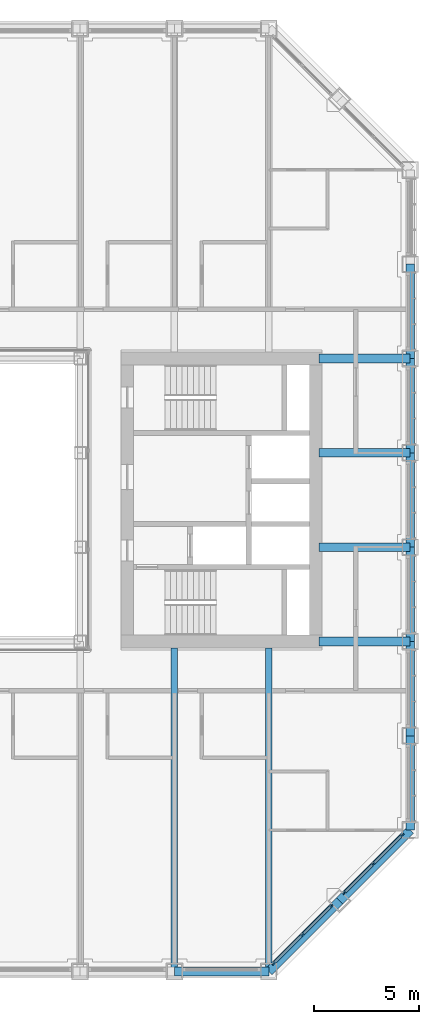
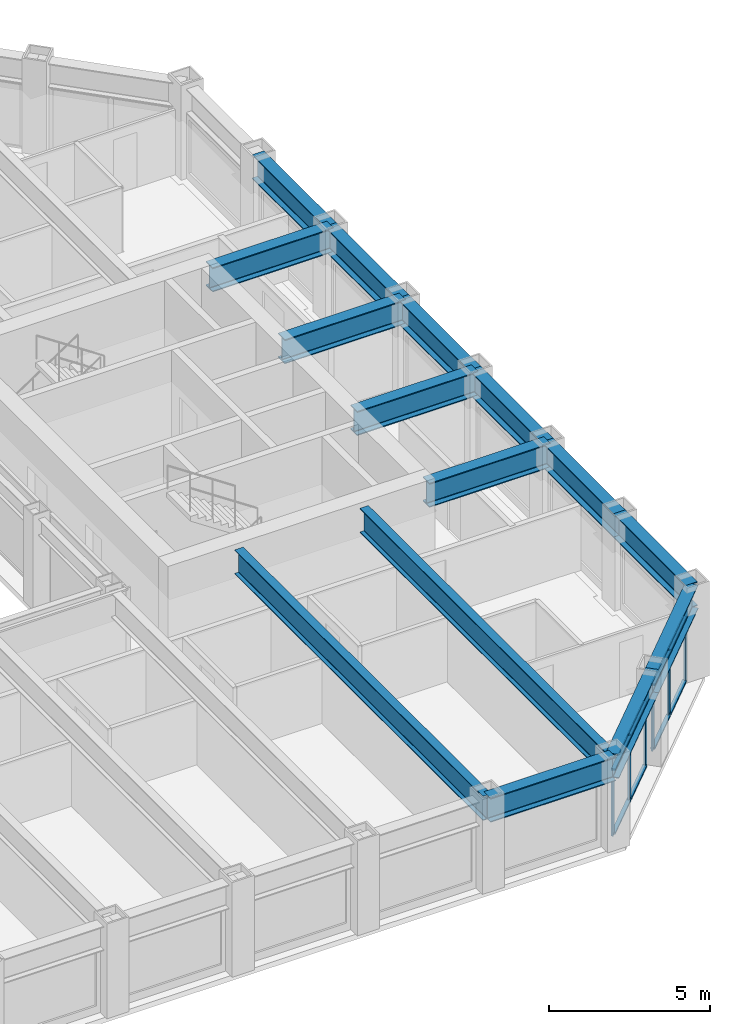
# One storey, part 6 of 18: 15 beams, 14 members, 2 elements without a shape of their own.
"""IFC4 building model written with IfcOpenShell, lengths in metres."""

import ifcopenshell
import ifcopenshell.guid

model = None  # the IFC model being written
_history = None  # IfcOwnerHistory: only IFC2X3 demands one
_inside = {}  # id of a spatial element -> (the spatial element, [elements in it])
_under = {}  # id of a project, library or spatial element -> (it, [spatial elements below it])
_declared = {}  # id of a project -> (the project, [libraries it declares])
_typed = {}  # id of a type object -> (the type object, [elements of that type])
_made_of = {}  # id of a material, layer set ... -> (it, [elements and type objects made of it])


def new_model(schema):
    """Start an empty IFC model of exactly this schema.

    Asked for "IFC4X3", IfcOpenShell would pick the latest addendum, in which some entities
    have other attributes; the version numbers below select the first issue.
    IFC2X3 requires an IfcOwnerHistory on every rooted entity: one is made here for all.
    """
    global model, _history
    if schema == "IFC4X3":
        model = ifcopenshell.file(schema_version=(4, 3, 0, 0))
    else:
        model = ifcopenshell.file(schema=schema)
    _inside.clear()
    _under.clear()
    _declared.clear()
    _typed.clear()
    _made_of.clear()
    _history = None
    if model.schema == "IFC2X3":
        org = make("IfcOrganization", Name="unknown")
        user = make(
            "IfcPersonAndOrganization",
            ThePerson=make("IfcPerson", FamilyName="unknown"),
            TheOrganization=org,
        )
        app = make(
            "IfcApplication",
            ApplicationDeveloper=org,
            Version="unknown",
            ApplicationFullName="unknown",
            ApplicationIdentifier="unknown",
        )
        _history = make(
            "IfcOwnerHistory",
            OwningUser=user,
            OwningApplication=app,
            ChangeAction="ADDED",
            CreationDate=0,
        )
    return model


def make(cls, **values):
    """One entity of the class cls with the attributes given. An attribute that is None is left unset."""
    return model.create_entity(
        cls, **{name: value for name, value in values.items() if value is not None}
    )


def rooted(cls, **values):
    """An entity with a GlobalId (a new one), such as an element, a storey or a relation."""
    return make(cls, GlobalId=ifcopenshell.guid.new(), OwnerHistory=_history, **values)


def si_unit(unit_type, name, prefix=None):
    """IfcSIUnit, for example si_unit("LENGTHUNIT", "METRE", prefix="MILLI")."""
    return make("IfcSIUnit", UnitType=unit_type, Prefix=prefix, Name=name)


def assignment(units):
    """IfcUnitAssignment: the units of a project."""
    return None if units is None else make("IfcUnitAssignment", Units=units)


def point(xyz):
    """IfcCartesianPoint."""
    return None if xyz is None else make("IfcCartesianPoint", Coordinates=xyz)


def direction(xyz):
    """IfcDirection."""
    return None if xyz is None else make("IfcDirection", DirectionRatios=xyz)


def frame(location, z_axis=None, x_axis=None):
    """IfcAxis2Placement3D, a coordinate frame: its origin and axes. An axis left out is left unset."""
    return make(
        "IfcAxis2Placement3D",
        Location=point(location),
        Axis=direction(z_axis),
        RefDirection=direction(x_axis),
    )


def frame_2d(location, x_axis=None):
    """IfcAxis2Placement2D, a coordinate frame in the plane: its origin and x axis."""
    return make(
        "IfcAxis2Placement2D", Location=point(location), RefDirection=direction(x_axis)
    )


def origin():
    """The frame at (0, 0, 0) with its axes left unset."""
    return frame((0.0, 0.0, 0.0))


def origin_2d():
    """The frame at (0, 0) in the plane with its x axis left unset."""
    return frame_2d((0.0, 0.0))


def place(relative_to, where):
    """IfcLocalPlacement: puts the frame where relative to a parent placement (None: the world)."""
    return make(
        "IfcLocalPlacement", PlacementRelTo=relative_to, RelativePlacement=where
    )


def context(
    kind, dimensions, precision=None, world=None, true_north=None, identifier=None
):
    """IfcGeometricRepresentationContext, for example the 3D "Model" context."""
    return make(
        "IfcGeometricRepresentationContext",
        ContextIdentifier=identifier,
        ContextType=kind,
        CoordinateSpaceDimension=dimensions,
        Precision=precision,
        WorldCoordinateSystem=world,
        TrueNorth=true_north,
    )


def subcontext(parent, identifier, kind, view, scale=None):
    """IfcGeometricRepresentationSubContext, for example "Body" below "Model"."""
    return make(
        "IfcGeometricRepresentationSubContext",
        ContextIdentifier=identifier,
        ContextType=kind,
        ParentContext=parent,
        TargetScale=scale,
        TargetView=view,
    )


def project(units=None, contexts=None):
    """IfcProject with its units and contexts."""
    return rooted(
        "IfcProject",
        Name="project",
        RepresentationContexts=contexts,
        UnitsInContext=assignment(units),
    )


def spatial(cls, under=None, at=None, **own):
    """A site, building, storey or space (cls), placed at a placement, below another one or the project."""
    s = rooted(cls, ObjectPlacement=at, **own)
    if under is not None:
        _under.setdefault(under.id(), (under, []))[1].append(s)
    return s


def profile(cls, at=None, kind="AREA", **sizes):
    """A parametric profile (cls). Its sizes go by their IFC names, for example OverallWidth=200.0."""
    return make(cls, ProfileType=kind, Position=at, **sizes)


def rectangle(**sizes):
    """IfcRectangleProfileDef."""
    return profile("IfcRectangleProfileDef", **sizes)


def i_section(**sizes):
    """IfcIShapeProfileDef."""
    return profile("IfcIShapeProfileDef", **sizes)


def extrude(swept, where, along, depth):
    """IfcExtrudedAreaSolid: the profile swept, set in the frame where, extruded along a direction by depth."""
    return make(
        "IfcExtrudedAreaSolid",
        SweptArea=swept,
        Position=where,
        ExtrudedDirection=direction(along),
        Depth=depth,
    )


def shape(context_of_items, identifier, shape_type, items):
    """IfcShapeRepresentation: the items that make up one representation, for example the "Body"."""
    return make(
        "IfcShapeRepresentation",
        ContextOfItems=context_of_items,
        RepresentationIdentifier=identifier,
        RepresentationType=shape_type,
        Items=items,
    )


def material(Name=None, Category=None):
    """IfcMaterial."""
    return make("IfcMaterial", Name=Name, Category=Category)


def material_profile(
    of_material, cross_section, Name=None, Category=None, Priority=None
):
    """IfcMaterialProfile: a cross section and its material."""
    return make(
        "IfcMaterialProfile",
        Name=Name,
        Material=of_material,
        Profile=cross_section,
        Priority=Priority,
        Category=Category,
    )


def profile_set(profiles, Name=None, composite=None):
    """IfcMaterialProfileSet."""
    return make(
        "IfcMaterialProfileSet",
        Name=Name,
        MaterialProfiles=profiles,
        CompositeProfile=composite,
    )


def made_of(thing, what):
    """Note that an element or type object is made of a material, layer set ...; save() writes the relation."""
    if what is not None:
        _made_of.setdefault(what.id(), (what, []))[1].append(thing)
    return thing


def type_object(cls, material=None, **own):
    """A type object (cls), such as IfcWallType, which elements share."""
    return made_of(rooted(cls, **own), material)


def element(
    cls,
    number,
    at=None,
    inside=None,
    cuts=None,
    type_object=None,
    material=None,
    context=None,
    identifier="Body",
    shape_type=None,
    held_by="IfcProductDefinitionShape",
    body=None,
    shapes=None,
    **own,
):
    """One element of the class cls, such as IfcWall. Its Tag is "e" and its number.

    at: its placement. inside: the storey or other place that contains it. cuts: it is an
    opening in that element (IfcRelVoidsElement). A single representation is given by context,
    identifier, shape_type and body (its items); several are given by shapes. held_by: the class
    of the entity that holds the representations. save() writes the other relations.
    """
    e = rooted(cls, Tag="e%d" % number, ObjectPlacement=at, **own)
    if body is not None:
        shapes = [shape(context, identifier, shape_type, body)]
    if shapes is not None:
        e.Representation = make(held_by, Representations=shapes)
    if inside is not None:
        _inside.setdefault(inside.id(), (inside, []))[1].append(e)
    if cuts is not None:
        rooted(
            "IfcRelVoidsElement", RelatingBuildingElement=cuts, RelatedOpeningElement=e
        )
    if type_object is not None:
        _typed.setdefault(type_object.id(), (type_object, []))[1].append(e)
    return made_of(e, material)


def aggregate(whole, parts):
    """IfcRelAggregates: a whole, such as a stair, and the parts it consists of."""
    return rooted("IfcRelAggregates", RelatingObject=whole, RelatedObjects=parts)


def save(model, path):
    """Write the relations noted so far, then the file.

    IfcRelAggregates (storeys below a building ...), IfcRelContainedInSpatialStructure (elements
    in a storey), IfcRelDefinesByType, IfcRelAssociatesMaterial and IfcRelDeclares: one each for
    every whole, place, type object, material and project.
    """
    for whole, parts in _under.values():
        aggregate(whole, parts)
    for where, things in _inside.values():
        rooted(
            "IfcRelContainedInSpatialStructure",
            RelatedElements=things,
            RelatingStructure=where,
        )
    for kind, things in _typed.values():
        rooted("IfcRelDefinesByType", RelatedObjects=things, RelatingType=kind)
    for what, things in _made_of.values():
        rooted("IfcRelAssociatesMaterial", RelatedObjects=things, RelatingMaterial=what)
    for by, libraries in _declared.values():
        rooted("IfcRelDeclares", RelatingContext=by, RelatedDefinitions=libraries)
    model.write(path)


model = new_model("IFC4")

# Units and contexts
model_context = context("Model", 3, precision=1e-05, world=origin(), true_north=direction((0.0, 1.0)))
body_context = subcontext(model_context, "Body", "Model", "MODEL_VIEW")
ifc_project = project(units=[si_unit("LENGTHUNIT", "METRE"), si_unit("AREAUNIT", "SQUARE_METRE"), si_unit("VOLUMEUNIT", "CUBIC_METRE"), si_unit("PLANEANGLEUNIT", "RADIAN"), si_unit("MASSUNIT", "GRAM", prefix="KILO")], contexts=[model_context])

# Site, building, storey
site_placement = place(None, origin())
site = spatial("IfcSite", under=ifc_project, at=site_placement, CompositionType="ELEMENT")
building_placement = place(site_placement, origin())
building = spatial("IfcBuilding", under=site, at=building_placement, Name="Msasa Ring Tower", CompositionType="ELEMENT")
storey_placement = place(building_placement, frame((0.0, 0.0, 118.39990234375)))
storey = spatial("IfcBuildingStorey", under=building, at=storey_placement, Name="L30", CompositionType="ELEMENT", Elevation=118.39990234375)

# Curtain wall, members
ifc_material_1 = material(Name="Aluminium curtain wall with clear glass", Category="aluminium")
curtain_wall_type = type_object("IfcCurtainWallType", Name="CW-C CHAMFER CORNER CURTAIN WALL", PredefinedType="NOTDEFINED", material=ifc_material_1)
curtain_wall_1_placement = place(storey_placement, origin())
curtain_wall_1 = element("IfcCurtainWall", 1, at=curtain_wall_1_placement, inside=storey, type_object=curtain_wall_type, Name="Chamfer corner curtain wall SE L30", PredefinedType="NOTDEFINED")
ifc_material_2 = material(Name="Aluminium mullion", Category="aluminium")
ifc_material_profile_1 = material_profile(ifc_material_2, rectangle(XDim=0.06494140625, YDim=0.179931640625, at=origin_2d()), Name="AL 65x180")
ifc_profile_set_1 = profile_set([ifc_material_profile_1], Name="Aluminium mullion")
member_type_1 = type_object("IfcMemberType", Name="CW-C MULLION 65x180", PredefinedType="MULLION", material=ifc_profile_set_1)
member_1_placement = place(storey_placement, frame((15.98876953125, -22.119873046875, 0.0), z_axis=(0.0, 0.0, 1.0), x_axis=(-0.707106781187, 0.707106781187, 0.0)))
member_1 = element("IfcMember", 2, at=member_1_placement, type_object=member_type_1, Name="CW-C mullion 1", PredefinedType="MULLION", context=body_context, shape_type="SweptSolid", body=[
    extrude(rectangle(XDim=0.06494140625, YDim=0.179931640625, at=origin_2d()), origin(), (0.0, 0.0, 1.0), 2.47900390625),
])
member_2_placement = place(storey_placement, frame((17.36669921875, -20.74169921875, 0.0), z_axis=(0.0, 0.0, 1.0), x_axis=(-0.707106781187, 0.707106781187, 0.0)))
member_2 = element("IfcMember", 3, at=member_2_placement, type_object=member_type_1, Name="CW-C mullion 2", PredefinedType="MULLION", context=body_context, shape_type="SweptSolid", body=[
    extrude(rectangle(XDim=0.06494140625, YDim=0.179931640625, at=origin_2d()), origin(), (0.0, 0.0, 1.0), 2.47900390625),
])
member_3_placement = place(storey_placement, frame((18.744873046875, -19.36376953125, 0.0), z_axis=(0.0, 0.0, 1.0), x_axis=(-0.707106781187, 0.707106781187, 0.0)))
member_3 = element("IfcMember", 4, at=member_3_placement, type_object=member_type_1, Name="CW-C mullion 3", PredefinedType="MULLION", context=body_context, shape_type="SweptSolid", body=[
    extrude(rectangle(XDim=0.06494140625, YDim=0.179931640625, at=origin_2d()), origin(), (0.0, 0.0, 1.0), 2.47900390625),
])

curtain_wall_2_placement = place(storey_placement, origin())
curtain_wall_2 = element("IfcCurtainWall", 5, at=curtain_wall_2_placement, inside=storey, type_object=curtain_wall_type, Name="Chamfer corner curtain wall SE L30", PredefinedType="NOTDEFINED")
member_4_placement = place(storey_placement, frame((19.36376953125, -18.744873046875, 0.0), z_axis=(0.0, 0.0, 1.0), x_axis=(-0.707106781187, 0.707106781187, 0.0)))
member_4 = element("IfcMember", 6, at=member_4_placement, type_object=member_type_1, Name="CW-C mullion 1", PredefinedType="MULLION", context=body_context, shape_type="SweptSolid", body=[
    extrude(rectangle(XDim=0.06494140625, YDim=0.179931640625, at=origin_2d()), origin(), (0.0, 0.0, 1.0), 2.47900390625),
])
member_5_placement = place(storey_placement, frame((20.74169921875, -17.36669921875, 0.0), z_axis=(0.0, 0.0, 1.0), x_axis=(-0.707106781187, 0.707106781187, 0.0)))
member_5 = element("IfcMember", 7, at=member_5_placement, type_object=member_type_1, Name="CW-C mullion 2", PredefinedType="MULLION", context=body_context, shape_type="SweptSolid", body=[
    extrude(rectangle(XDim=0.06494140625, YDim=0.179931640625, at=origin_2d()), origin(), (0.0, 0.0, 1.0), 2.47900390625),
])
member_6_placement = place(storey_placement, frame((22.119873046875, -15.98876953125, 0.0), z_axis=(0.0, 0.0, 1.0), x_axis=(-0.707106781187, 0.707106781187, 0.0)))
member_6 = element("IfcMember", 8, at=member_6_placement, type_object=member_type_1, Name="CW-C mullion 3", PredefinedType="MULLION", context=body_context, shape_type="SweptSolid", body=[
    extrude(rectangle(XDim=0.06494140625, YDim=0.179931640625, at=origin_2d()), origin(), (0.0, 0.0, 1.0), 2.47900390625),
])

# Member
ifc_material_3 = material(Name="Aluminium transom", Category="aluminium")
ifc_material_profile_2 = material_profile(ifc_material_3, rectangle(XDim=0.139892578125, YDim=0.06494140625, at=origin_2d()), Name="AL 65x140")
ifc_profile_set_2 = profile_set([ifc_material_profile_2], Name="Aluminium transom")
member_type_2 = type_object("IfcMemberType", Name="CW-C TRANSOM 65x140", PredefinedType="USERDEFINED", material=ifc_profile_set_2)
member_7_placement = place(storey_placement, frame((16.01171875, -22.096923828125, 0.03271484375), z_axis=(0.707106781187, 0.707106781187, 0.0), x_axis=(-0.707106781187, 0.707106781187, 0.0)))
member_7 = element("IfcMember", 9, at=member_7_placement, type_object=member_type_2, Name="CW-C transom 1.1", ObjectType="TRANSOM", PredefinedType="USERDEFINED", context=body_context, shape_type="SweptSolid", body=[
    extrude(rectangle(XDim=0.139892578125, YDim=0.06494140625, at=origin_2d()), origin(), (0.0, 0.0, 1.0), 1.8837890625),
])

member_8_placement = place(storey_placement, frame((16.01171875, -22.096923828125, 2.446533203125), z_axis=(0.707106781187, 0.707106781187, 0.0), x_axis=(-0.707106781187, 0.707106781187, 0.0)))
member_8 = element("IfcMember", 10, at=member_8_placement, type_object=member_type_2, Name="CW-C transom 1.2", ObjectType="TRANSOM", PredefinedType="USERDEFINED", context=body_context, shape_type="SweptSolid", body=[
    extrude(rectangle(XDim=0.139892578125, YDim=0.06494140625, at=origin_2d()), origin(), (0.0, 0.0, 1.0), 1.8837890625),
])

member_9_placement = place(storey_placement, frame((17.389892578125, -20.71875, 0.03271484375), z_axis=(0.707106781187, 0.707106781187, 0.0), x_axis=(-0.707106781187, 0.707106781187, 0.0)))
member_9 = element("IfcMember", 11, at=member_9_placement, type_object=member_type_2, Name="CW-C transom 2.1", ObjectType="TRANSOM", PredefinedType="USERDEFINED", context=body_context, shape_type="SweptSolid", body=[
    extrude(rectangle(XDim=0.139892578125, YDim=0.06494140625, at=origin_2d()), origin(), (0.0, 0.0, 1.0), 1.8837890625),
])

member_10_placement = place(storey_placement, frame((17.389892578125, -20.71875, 2.446533203125), z_axis=(0.707106781187, 0.707106781187, 0.0), x_axis=(-0.707106781187, 0.707106781187, 0.0)))
member_10 = element("IfcMember", 12, at=member_10_placement, type_object=member_type_2, Name="CW-C transom 2.2", ObjectType="TRANSOM", PredefinedType="USERDEFINED", context=body_context, shape_type="SweptSolid", body=[
    extrude(rectangle(XDim=0.139892578125, YDim=0.06494140625, at=origin_2d()), origin(), (0.0, 0.0, 1.0), 1.8837890625),
])

aggregate(curtain_wall_1, [member_1, member_2, member_3, member_7, member_8, member_9, member_10])

member_11_placement = place(storey_placement, frame((19.38671875, -18.721923828125, 0.03271484375), z_axis=(0.707106781187, 0.707106781187, 0.0), x_axis=(-0.707106781187, 0.707106781187, 0.0)))
member_11 = element("IfcMember", 13, at=member_11_placement, type_object=member_type_2, Name="CW-C transom 1.1", ObjectType="TRANSOM", PredefinedType="USERDEFINED", context=body_context, shape_type="SweptSolid", body=[
    extrude(rectangle(XDim=0.139892578125, YDim=0.06494140625, at=origin_2d()), origin(), (0.0, 0.0, 1.0), 1.8837890625),
])

member_12_placement = place(storey_placement, frame((19.38671875, -18.721923828125, 2.446533203125), z_axis=(0.707106781187, 0.707106781187, 0.0), x_axis=(-0.707106781187, 0.707106781187, 0.0)))
member_12 = element("IfcMember", 14, at=member_12_placement, type_object=member_type_2, Name="CW-C transom 1.2", ObjectType="TRANSOM", PredefinedType="USERDEFINED", context=body_context, shape_type="SweptSolid", body=[
    extrude(rectangle(XDim=0.139892578125, YDim=0.06494140625, at=origin_2d()), origin(), (0.0, 0.0, 1.0), 1.8837890625),
])

member_13_placement = place(storey_placement, frame((20.764892578125, -17.34375, 0.03271484375), z_axis=(0.707106781187, 0.707106781187, 0.0), x_axis=(-0.707106781187, 0.707106781187, 0.0)))
member_13 = element("IfcMember", 15, at=member_13_placement, type_object=member_type_2, Name="CW-C transom 2.1", ObjectType="TRANSOM", PredefinedType="USERDEFINED", context=body_context, shape_type="SweptSolid", body=[
    extrude(rectangle(XDim=0.139892578125, YDim=0.06494140625, at=origin_2d()), origin(), (0.0, 0.0, 1.0), 1.8837890625),
])

member_14_placement = place(storey_placement, frame((20.764892578125, -17.34375, 2.446533203125), z_axis=(0.707106781187, 0.707106781187, 0.0), x_axis=(-0.707106781187, 0.707106781187, 0.0)))
member_14 = element("IfcMember", 16, at=member_14_placement, type_object=member_type_2, Name="CW-C transom 2.2", ObjectType="TRANSOM", PredefinedType="USERDEFINED", context=body_context, shape_type="SweptSolid", body=[
    extrude(rectangle(XDim=0.139892578125, YDim=0.06494140625, at=origin_2d()), origin(), (0.0, 0.0, 1.0), 1.8837890625),
])

aggregate(curtain_wall_2, [member_4, member_5, member_6, member_11, member_12, member_13, member_14])

# Beams
ifc_material_4 = material(Name="Steel S355", Category="steel")
ifc_material_profile_3 = material_profile(ifc_material_4, i_section(OverallWidth=0.42041015625, OverallDepth=0.9208984375, WebThickness=0.021484375, FlangeThickness=0.03662109375, FilletRadius=0.024169921875, at=origin_2d()), Name="UB 914x419x388")
ifc_profile_set_3 = profile_set([ifc_material_profile_3], Name="Steel S355")
beam_type_1 = type_object("IfcBeamType", Name="FB2 UB 914x419x388", PredefinedType="BEAM", material=ifc_profile_set_3)
for number, where, z_axis, x_axis, name in (
    (17, (22.5, -2.25, 2.939697265625), (-1.0, 0.0, 0.0), (0.0, -1.0, 0.0), "Floor beam E -2.25 under L31"),
    (18, (22.5, 2.25, 2.939697265625), (-1.0, 0.0, 0.0), (0.0, -1.0, 0.0), "Floor beam E +2.25 under L31"),
):
    element("IfcBeam", number, at=place(storey_placement, frame(where, z_axis=z_axis, x_axis=x_axis)), inside=storey, type_object=beam_type_1, Name=name, PredefinedType="BEAM", context=body_context, shape_type="SweptSolid", body=[
        extrude(i_section(OverallWidth=0.42041015625, OverallDepth=0.9208984375, WebThickness=0.021484375, FlangeThickness=0.03662109375, FilletRadius=0.024169921875, at=origin_2d()), origin(), (0.0, 0.0, 1.0), 4.35009765625),
    ])
ifc_material_5 = material(Name="Steel S355", Category="steel")
ifc_material_profile_4 = material_profile(ifc_material_5, i_section(OverallWidth=0.3076171875, OverallDepth=0.926513671875, WebThickness=0.01953125, FlangeThickness=0.031982421875, FilletRadius=0.01904296875, at=origin_2d()), Name="UB 914x305x289")
ifc_profile_set_4 = profile_set([ifc_material_profile_4], Name="Steel S355")
beam_type_2 = type_object("IfcBeamType", Name="FB3 UB 914x305x289", PredefinedType="BEAM", material=ifc_profile_set_4)
for number, where, z_axis, x_axis, name in (
    (19, (11.25, -22.5, 2.936767578125), (0.0, 1.0, 0.0), (-1.0, 0.0, 0.0), "Floor beam S+11.25 under L31"),
    (20, (15.75, -22.5, 2.936767578125), (0.0, 1.0, 0.0), (-1.0, 0.0, 0.0), "Floor beam S+15.75 under L31"),
):
    element("IfcBeam", number, at=place(storey_placement, frame(where, z_axis=z_axis, x_axis=x_axis)), inside=storey, type_object=beam_type_2, Name=name, PredefinedType="BEAM", context=body_context, shape_type="SweptSolid", body=[
        extrude(i_section(OverallWidth=0.3076171875, OverallDepth=0.926513671875, WebThickness=0.01953125, FlangeThickness=0.031982421875, FilletRadius=0.01904296875, at=origin_2d()), origin(), (0.0, 0.0, 1.0), 15.449951171875),
    ])
ifc_material_6 = material(Name="Steel S355", Category="steel")
ifc_material_profile_5 = material_profile(ifc_material_6, i_section(OverallWidth=0.42041015625, OverallDepth=0.9208984375, WebThickness=0.021484375, FlangeThickness=0.03662109375, FilletRadius=0.024169921875, at=origin_2d()), Name="UB 914x419x388")
ifc_profile_set_5 = profile_set([ifc_material_profile_5], Name="Steel S355")
beam_type_3 = type_object("IfcBeamType", Name="GB1 UB 914x419x388", PredefinedType="BEAM", material=ifc_profile_set_5)
for number, where, z_axis, x_axis, name in (
    (21, (18.14990234375, 6.75, 2.939697265625), (1.0, 0.0, 0.0), (0.0, 1.0, 0.0), "Girder E +6.75 under L31"),
    (22, (18.14990234375, -6.75, 2.939697265625), (1.0, 0.0, 0.0), (0.0, 1.0, 0.0), "Girder E -6.75 under L31"),
):
    element("IfcBeam", number, at=place(storey_placement, frame(where, z_axis=z_axis, x_axis=x_axis)), inside=storey, type_object=beam_type_3, Name=name, PredefinedType="BEAM", context=body_context, shape_type="SweptSolid", body=[
        extrude(i_section(OverallWidth=0.42041015625, OverallDepth=0.9208984375, WebThickness=0.021484375, FlangeThickness=0.03662109375, FilletRadius=0.024169921875, at=origin_2d()), origin(), (0.0, 0.0, 1.0), 4.35009765625),
    ])
ifc_material_7 = material(Name="Steel S355", Category="steel")
ifc_material_profile_6 = material_profile(ifc_material_7, i_section(OverallWidth=0.42041015625, OverallDepth=0.9208984375, WebThickness=0.021484375, FlangeThickness=0.03662109375, FilletRadius=0.024169921875, at=origin_2d()), Name="UB 914x419x388")
ifc_profile_set_6 = profile_set([ifc_material_profile_6], Name="Steel S355")
beam_type_4 = type_object("IfcBeamType", Name="SB1 UB 914x419x388", PredefinedType="SPANDREL", material=ifc_profile_set_6)
beam_placement = place(storey_placement, frame((11.25, -22.5, 2.939697265625), z_axis=(1.0, 0.0, 0.0), x_axis=(0.0, 1.0, 0.0)))
element("IfcBeam", 23, at=beam_placement, inside=storey, type_object=beam_type_4, Name="Spandrel S+11.25 to S+15.75 under L31", PredefinedType="SPANDREL", context=body_context, shape_type="SweptSolid", body=[
    extrude(i_section(OverallWidth=0.42041015625, OverallDepth=0.9208984375, WebThickness=0.021484375, FlangeThickness=0.03662109375, FilletRadius=0.024169921875, at=origin_2d()), origin(), (0.0, 0.0, 1.0), 4.5),
])
for number, where, z_axis, x_axis, name in (
    (24, (15.75, -22.5, 2.939697265625), (0.707106781187, 0.707106781187, 0.0), (-0.707106781187, 0.707106781187, 0.0), "Spandrel S+15.75 to SE under L31"),
    (25, (19.125, -19.125, 2.939697265625), (0.707106781187, 0.707106781187, 0.0), (-0.707106781187, 0.707106781187, 0.0), "Spandrel SE to E-15.75 under L31"),
):
    element("IfcBeam", number, at=place(storey_placement, frame(where, z_axis=z_axis, x_axis=x_axis)), inside=storey, type_object=beam_type_4, Name=name, PredefinedType="SPANDREL", context=body_context, shape_type="SweptSolid", body=[
        extrude(i_section(OverallWidth=0.42041015625, OverallDepth=0.9208984375, WebThickness=0.021484375, FlangeThickness=0.03662109375, FilletRadius=0.024169921875, at=origin_2d()), origin(), (0.0, 0.0, 1.0), 4.77294921875),
    ])
for number, where, z_axis, x_axis, name in (
    (26, (22.5, -15.75, 2.939697265625), (0.0, 1.0, 0.0), (-1.0, 0.0, 0.0), "Spandrel E-15.75 to E-11.25 under L31"),
    (27, (22.5, -11.25, 2.939697265625), (0.0, 1.0, 0.0), (-1.0, 0.0, 0.0), "Spandrel E-11.25 to E-6.75 under L31"),
    (28, (22.5, -6.75, 2.939697265625), (0.0, 1.0, 0.0), (-1.0, 0.0, 0.0), "Spandrel E-6.75 to E-2.25 under L31"),
    (29, (22.5, -2.25, 2.939697265625), (0.0, 1.0, 0.0), (-1.0, 0.0, 0.0), "Spandrel E-2.25 to E+2.25 under L31"),
    (30, (22.5, 2.25, 2.939697265625), (0.0, 1.0, 0.0), (-1.0, 0.0, 0.0), "Spandrel E+2.25 to E+6.75 under L31"),
    (31, (22.5, 6.75, 2.939697265625), (0.0, 1.0, 0.0), (-1.0, 0.0, 0.0), "Spandrel E+6.75 to E+11.25 under L31"),
):
    element("IfcBeam", number, at=place(storey_placement, frame(where, z_axis=z_axis, x_axis=x_axis)), inside=storey, type_object=beam_type_4, Name=name, PredefinedType="SPANDREL", context=body_context, shape_type="SweptSolid", body=[
        extrude(i_section(OverallWidth=0.42041015625, OverallDepth=0.9208984375, WebThickness=0.021484375, FlangeThickness=0.03662109375, FilletRadius=0.024169921875, at=origin_2d()), origin(), (0.0, 0.0, 1.0), 4.5),
    ])

save(model, "model.ifc")
